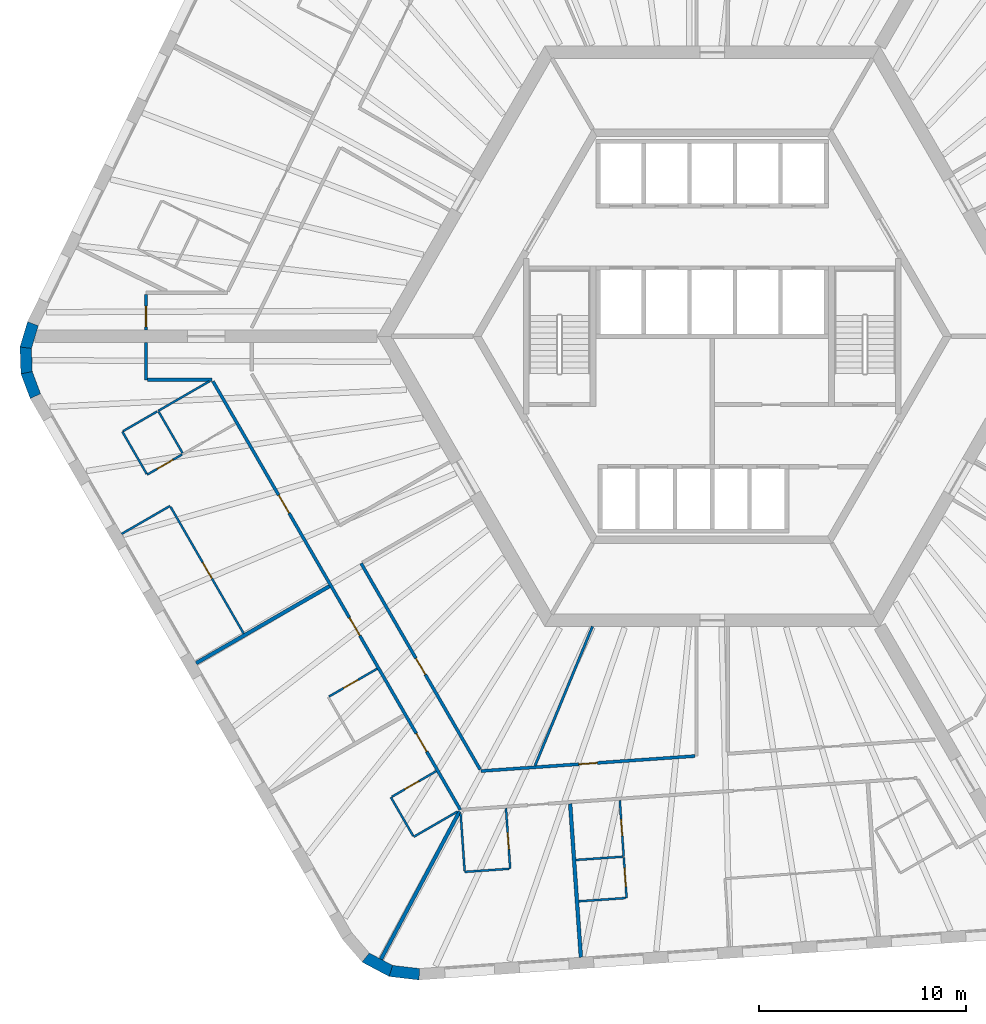
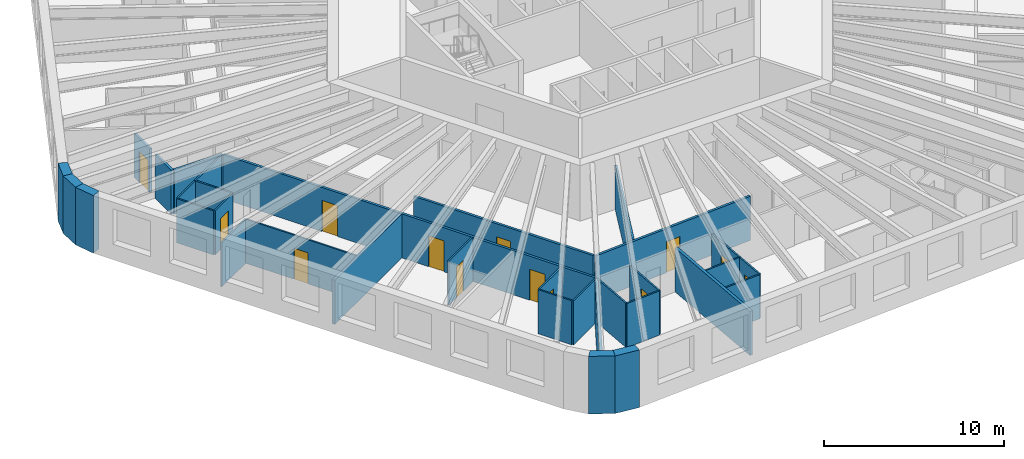
# One storey, part 3 of 12: 33 walls, 13 doors, 13 openings.
"""IFC4 building model written with IfcOpenShell, lengths in metres."""

from ifc_helpers import new_model, si_unit, direction, frame, frame_2d, origin, place, context, subcontext, project, spatial, polyline, rectangle, outline, extrude, material, layer, layer_set, type_object, element, fill, save


model = new_model("IFC4")

# Units and contexts
model_context = context("Model", 3, precision=1e-05, world=origin(), true_north=direction((0.0, 1.0)))
body_context = subcontext(model_context, "Body", "Model", "MODEL_VIEW")
ifc_project = project(units=[si_unit("LENGTHUNIT", "METRE"), si_unit("AREAUNIT", "SQUARE_METRE"), si_unit("VOLUMEUNIT", "CUBIC_METRE"), si_unit("PLANEANGLEUNIT", "RADIAN"), si_unit("MASSUNIT", "GRAM", prefix="KILO")], contexts=[model_context])

# Site, building, storey
site_placement = place(None, origin())
site = spatial("IfcSite", under=ifc_project, at=site_placement, CompositionType="ELEMENT")
building_placement = place(site_placement, origin())
building = spatial("IfcBuilding", under=site, at=building_placement, Name="Tarnside Tower", CompositionType="ELEMENT")
storey_placement = place(building_placement, frame((0.0, 0.0, 131.10009765625)))
storey = spatial("IfcBuildingStorey", under=building, at=storey_placement, Name="L30", CompositionType="ELEMENT", Elevation=131.10009765625)

# Walls
ifc_material_1 = material(Name="Gypsum board partition on steel studs", Category="steel")
ifc_layer_1 = layer(ifc_material_1, 0.10009765625)
ifc_layer_set_1 = layer_set([ifc_layer_1], Name="Bathroom wall 100")
wall_type_1 = type_object("IfcWallType", Name="Bathroom wall 100", PredefinedType="PARTITIONING", material=ifc_layer_set_1)
wall_1_placement = place(storey_placement, frame((-26.731201171875, -3.60009765625, 0.0), z_axis=(0.0, 0.0, 1.0), x_axis=(0.866004402611, 0.500036373335, 0.0)))
element("IfcWall", 1, at=wall_1_placement, inside=storey, type_object=wall_type_1, Name="Bathroom wall 09108", PredefinedType="PARTITIONING", context=body_context, shape_type="SweptSolid", body=[
    extrude(rectangle(XDim=2.849853515625, YDim=0.10009765625, at=frame_2d((1.4248046875, 0.0))), origin(), (0.0, 0.0, 1.0), 2.98779296875),
])
wall_2_placement = place(storey_placement, frame((-26.706298828125, -3.643310546875, 0.0), z_axis=(0.0, 0.0, 1.0), x_axis=(0.499952165731, -0.866053019151, 0.0)))
element("IfcWall", 2, at=wall_2_placement, inside=storey, type_object=wall_type_1, Name="Bathroom wall 09116", PredefinedType="PARTITIONING", context=body_context, shape_type="SweptSolid", body=[
    extrude(rectangle(XDim=2.300048828125, YDim=0.10009765625, at=frame_2d((1.14990234375, 0.0))), origin(), (0.0, 0.0, 1.0), 2.98779296875),
])

# Wall, opening, door
wall_3_placement = place(storey_placement, frame((-18.4853515625, -17.382568359375, 0.0), z_axis=(0.0, 0.0, 1.0), x_axis=(0.866004723184, 0.50003581814, 0.0)))
wall_3 = element("IfcWall", 3, at=wall_3_placement, inside=storey, type_object=wall_type_1, Name="Bathroom wall 09119", PredefinedType="PARTITIONING", context=body_context, shape_type="SweptSolid", body=[
    extrude(rectangle(XDim=2.675048828125, YDim=0.10009765625, at=frame_2d((1.33740234375, 0.0))), origin(), (0.0, 0.0, 1.0), 2.98779296875),
])
opening_1_placement = place(wall_3_placement, frame((0.81005859375, 0.0, 0.0)))
opening_1 = element("IfcOpeningElement", 4, at=opening_1_placement, cuts=wall_3, Name="Opening D-B1", PredefinedType="OPENING", context=body_context, shape_type="SweptSolid", body=[
    extrude(rectangle(XDim=0.800048828125, YDim=2.10009765625, at=frame_2d((0.39990234375, 1.050048828125))), frame((0.0, 0.06005859375, 0.0), z_axis=(0.0, -1.0, 0.0), x_axis=(1.0, 0.0, 0.0)), (0.0, 0.0, 1.0), 0.1201171875),
])
ifc_material_2 = material(Name="Timber door leaf", Category="wood")
door_type_1 = type_object("IfcDoorType", Name="Bathroom door 800", OperationType="NOTDEFINED", PredefinedType="DOOR", material=ifc_material_2)
door_1_placement = place(opening_1_placement, origin())
door_1 = element("IfcDoor", 5, at=door_1_placement, inside=storey, type_object=door_type_1, Name="Bathroom door 09020", OperationType="SINGLE_SWING_RIGHT", OverallHeight=2.10009765625, OverallWidth=0.800048828125, PredefinedType="DOOR", context=body_context, shape_type="SweptSolid", body=[
    extrude(rectangle(XDim=0.800048828125, YDim=2.10009765625, at=frame_2d((0.39990234375, 1.050048828125))), frame((0.0, 0.02490234375, 0.0), z_axis=(0.0, -1.0, 0.0), x_axis=(1.0, 0.0, 0.0)), (0.0, 0.0, 1.0), 0.050048828125),
])
fill(opening_1, door_1)

# Walls
wall_4_placement = place(storey_placement, frame((-12.299560546875, -22.93896484375, 0.0), z_axis=(0.0, 0.0, 1.0), x_axis=(-0.866044985707, -0.499966081581, 0.0)))
element("IfcWall", 6, at=wall_4_placement, inside=storey, type_object=wall_type_1, Name="Bathroom wall 09122", PredefinedType="PARTITIONING", context=body_context, shape_type="SweptSolid", body=[
    extrude(rectangle(XDim=2.428955078125, YDim=0.10009765625, at=frame_2d((1.21435546875, 0.0))), origin(), (0.0, 0.0, 1.0), 2.98779296875),
])
wall_5_placement = place(storey_placement, frame((-14.427978515625, -24.110107421875, 0.0), z_axis=(0.0, 0.0, 1.0), x_axis=(-0.499961633463, 0.866047553582, 0.0)))
element("IfcWall", 7, at=wall_5_placement, inside=storey, type_object=wall_type_1, Name="Bathroom wall 09123", PredefinedType="PARTITIONING", context=body_context, shape_type="SweptSolid", body=[
    extrude(rectangle(XDim=2.150146484375, YDim=0.10009765625, at=frame_2d((1.0751953125, 0.0))), origin(), (0.0, 0.0, 1.0), 2.98779296875),
])

# Wall, opening, door
wall_6_placement = place(storey_placement, frame((-15.459716796875, -22.22314453125, 0.0), z_axis=(0.0, 0.0, 1.0), x_axis=(0.866031185235, 0.4999899861, 0.0)))
wall_6 = element("IfcWall", 8, at=wall_6_placement, inside=storey, type_object=wall_type_1, Name="Bathroom wall 09124", PredefinedType="PARTITIONING", context=body_context, shape_type="SweptSolid", body=[
    extrude(rectangle(XDim=2.47509765625, YDim=0.10009765625, at=frame_2d((1.237548828125, 0.0))), origin(), (0.0, 0.0, 1.0), 2.98779296875),
])
opening_2_placement = place(wall_6_placement, frame((0.719970703125, 0.0, 0.0)))
opening_2 = element("IfcOpeningElement", 9, at=opening_2_placement, cuts=wall_6, Name="Opening D-B1", PredefinedType="OPENING", context=body_context, shape_type="SweptSolid", body=[
    extrude(rectangle(XDim=0.800048828125, YDim=2.10009765625, at=frame_2d((0.39990234375, 1.050048828125))), frame((0.0, 0.06005859375, 0.0), z_axis=(0.0, -1.0, 0.0), x_axis=(1.0, 0.0, 0.0)), (0.0, 0.0, 1.0), 0.1201171875),
])
door_2_placement = place(opening_2_placement, origin())
door_2 = element("IfcDoor", 10, at=door_2_placement, inside=storey, type_object=door_type_1, Name="Bathroom door 09022", OperationType="SINGLE_SWING_RIGHT", OverallHeight=2.10009765625, OverallWidth=0.800048828125, PredefinedType="DOOR", context=body_context, shape_type="SweptSolid", body=[
    extrude(rectangle(XDim=0.800048828125, YDim=2.10009765625, at=frame_2d((0.39990234375, 1.050048828125))), frame((0.0, 0.02490234375, 0.0), z_axis=(0.0, -1.0, 0.0), x_axis=(1.0, 0.0, 0.0)), (0.0, 0.0, 1.0), 0.050048828125),
])
fill(opening_2, door_2)

wall_7_placement = place(storey_placement, frame((-9.951416015625, -22.774658203125, 0.0), z_axis=(0.0, 0.0, 1.0), x_axis=(0.069775971057, -0.997562686683, 0.0)))
wall_7 = element("IfcWall", 11, at=wall_7_placement, inside=storey, type_object=wall_type_1, Name="Bathroom wall 09126", PredefinedType="PARTITIONING", context=body_context, shape_type="SweptSolid", body=[
    extrude(rectangle(XDim=2.925048828125, YDim=0.10009765625, at=frame_2d((1.46240234375, 0.0))), origin(), (0.0, 0.0, 1.0), 2.98779296875),
])
opening_3_placement = place(wall_7_placement, frame((1.175048828125, 0.0, 0.0)))
opening_3 = element("IfcOpeningElement", 12, at=opening_3_placement, cuts=wall_7, Name="Opening D-B1", PredefinedType="OPENING", context=body_context, shape_type="SweptSolid", body=[
    extrude(rectangle(XDim=0.800048828125, YDim=2.10009765625, at=frame_2d((0.39990234375, 1.050048828125))), frame((0.0, 0.06005859375, 0.0), z_axis=(0.0, -1.0, 0.0), x_axis=(1.0, 0.0, 0.0)), (0.0, 0.0, 1.0), 0.1201171875),
])
door_3_placement = place(opening_3_placement, origin())
door_3 = element("IfcDoor", 13, at=door_3_placement, inside=storey, type_object=door_type_1, Name="Bathroom door 09024", OperationType="SINGLE_SWING_LEFT", OverallHeight=2.10009765625, OverallWidth=0.800048828125, PredefinedType="DOOR", context=body_context, shape_type="SweptSolid", body=[
    extrude(rectangle(XDim=0.800048828125, YDim=2.10009765625, at=frame_2d((0.39990234375, 1.050048828125))), frame((0.0, 0.02490234375, 0.0), z_axis=(0.0, -1.0, 0.0), x_axis=(1.0, 0.0, 0.0)), (0.0, 0.0, 1.0), 0.050048828125),
])
fill(opening_3, door_3)

# Walls
wall_8_placement = place(storey_placement, frame((-9.79736328125, -25.696044921875, 0.0), z_axis=(0.0, 0.0, 1.0), x_axis=(-0.997566475845, -0.069721777595, 0.0)))
element("IfcWall", 14, at=wall_8_placement, inside=storey, type_object=wall_type_1, Name="Bathroom wall 09127", PredefinedType="PARTITIONING", context=body_context, shape_type="SweptSolid", body=[
    extrude(rectangle(XDim=2.14990234375, YDim=0.10009765625, at=frame_2d((1.074951171875, 0.0))), origin(), (0.0, 0.0, 1.0), 2.98779296875),
])
wall_9_placement = place(storey_placement, frame((-11.945556640625, -25.796142578125, 0.0), z_axis=(0.0, 0.0, 1.0), x_axis=(-0.069754817075, 0.997564166104, 0.0)))
element("IfcWall", 15, at=wall_9_placement, inside=storey, type_object=wall_type_1, Name="Bathroom wall 09128", PredefinedType="PARTITIONING", context=body_context, shape_type="SweptSolid", body=[
    extrude(rectangle(XDim=2.779052734375, YDim=0.10009765625, at=frame_2d((1.3896484375, 0.0))), origin(), (0.0, 0.0, 1.0), 2.98779296875),
])

# Wall, opening, door
wall_10_placement = place(storey_placement, frame((-4.4599609375, -22.390625, 0.0), z_axis=(0.0, 0.0, 1.0), x_axis=(0.069699857203, -0.99756800766, 0.0)))
wall_10 = element("IfcWall", 16, at=wall_10_placement, inside=storey, type_object=wall_type_1, Name="Bathroom wall 09132", PredefinedType="PARTITIONING", context=body_context, shape_type="SweptSolid", body=[
    extrude(rectangle(XDim=2.72509765625, YDim=0.10009765625, at=frame_2d((1.362548828125, 0.0))), origin(), (0.0, 0.0, 1.0), 2.98779296875),
])
opening_4_placement = place(wall_10_placement, frame((0.925048828125, 0.0, 0.0)))
opening_4 = element("IfcOpeningElement", 17, at=opening_4_placement, cuts=wall_10, Name="Opening D-B1", PredefinedType="OPENING", context=body_context, shape_type="SweptSolid", body=[
    extrude(rectangle(XDim=0.800048828125, YDim=2.10009765625, at=frame_2d((0.39990234375, 1.050048828125))), frame((0.0, 0.06005859375, 0.0), z_axis=(0.0, -1.0, 0.0), x_axis=(1.0, 0.0, 0.0)), (0.0, 0.0, 1.0), 0.1201171875),
])
door_4_placement = place(opening_4_placement, origin())
door_4 = element("IfcDoor", 18, at=door_4_placement, inside=storey, type_object=door_type_1, Name="Bathroom door 09026", OperationType="SINGLE_SWING_RIGHT", OverallHeight=2.10009765625, OverallWidth=0.800048828125, PredefinedType="DOOR", context=body_context, shape_type="SweptSolid", body=[
    extrude(rectangle(XDim=0.800048828125, YDim=2.10009765625, at=frame_2d((0.39990234375, 1.050048828125))), frame((0.0, 0.02490234375, 0.0), z_axis=(0.0, -1.0, 0.0), x_axis=(1.0, 0.0, 0.0)), (0.0, 0.0, 1.0), 0.050048828125),
])
fill(opening_4, door_4)

# Wall
wall_11_placement = place(storey_placement, frame((-6.574462890625, -25.270263671875, 0.0), z_axis=(0.0, 0.0, 1.0), x_axis=(0.997562351999, 0.069780755754, 0.0)))
element("IfcWall", 19, at=wall_11_placement, inside=storey, type_object=wall_type_1, Name="Bathroom wall 09138", PredefinedType="PARTITIONING", context=body_context, shape_type="SweptSolid", body=[
    extrude(rectangle(XDim=2.26025390625, YDim=0.10009765625, at=frame_2d((1.130126953125, 0.0))), origin(), (0.0, 0.0, 1.0), 2.98779296875),
])

# Wall, opening, door
ifc_layer_2 = layer(ifc_material_1, 0.14990234375)
ifc_layer_set_2 = layer_set([ifc_layer_2], Name="Corridor wall 150 EI 60")
wall_type_2 = type_object("IfcWallType", Name="Corridor wall 150 EI 60", PredefinedType="PARTITIONING", material=ifc_layer_set_2)
wall_12_placement = place(storey_placement, frame((-27.3203125, 2.02490234375, 0.0), z_axis=(0.0, 0.0, 1.0), x_axis=(0.0, -1.0, 0.0)))
wall_12 = element("IfcWall", 20, at=wall_12_placement, inside=storey, type_object=wall_type_2, Name="Corridor wall 09016", PredefinedType="PARTITIONING", context=body_context, shape_type="SweptSolid", body=[
    extrude(rectangle(XDim=1.724853515625, YDim=0.14990234375, at=frame_2d((0.8623046875, 0.0))), origin(), (0.0, 0.0, 1.0), 2.98779296875),
])
opening_5_placement = place(wall_12_placement, frame((0.574951171875, 0.0, 0.0)))
opening_5 = element("IfcOpeningElement", 21, at=opening_5_placement, cuts=wall_12, Name="Opening D-E1", PredefinedType="OPENING", context=body_context, shape_type="SweptSolid", body=[
    extrude(rectangle(XDim=1.0, YDim=2.10009765625, at=frame_2d((0.5, 1.050048828125))), frame((0.0, 0.0849609375, 0.0), z_axis=(0.0, -1.0, 0.0), x_axis=(1.0, 0.0, 0.0)), (0.0, 0.0, 1.0), 0.169921875),
])
door_type_2 = type_object("IfcDoorType", Name="Unit entrance door 1000 FD30S", OperationType="NOTDEFINED", PredefinedType="DOOR", material=ifc_material_2)
door_5_placement = place(opening_5_placement, origin())
door_5 = element("IfcDoor", 22, at=door_5_placement, inside=storey, type_object=door_type_2, Name="Unit door 09014", OperationType="SINGLE_SWING_LEFT", OverallHeight=2.10009765625, OverallWidth=1.0, PredefinedType="DOOR", context=body_context, shape_type="SweptSolid", body=[
    extrude(rectangle(XDim=1.0, YDim=2.10009765625, at=frame_2d((0.5, 1.050048828125))), frame((0.0, 0.02490234375, 0.0), z_axis=(0.0, -1.0, 0.0), x_axis=(1.0, 0.0, 0.0)), (0.0, 0.0, 1.0), 0.050048828125),
])
fill(opening_5, door_5)

# Walls
wall_13_placement = place(storey_placement, frame((-27.3203125, -0.300048828125, 0.0), z_axis=(0.0, 0.0, 1.0), x_axis=(0.0, -1.0, 0.0)))
element("IfcWall", 23, at=wall_13_placement, inside=storey, type_object=wall_type_2, Name="Corridor wall 09027", PredefinedType="PARTITIONING", context=body_context, shape_type="SweptSolid", body=[
    extrude(rectangle(XDim=1.800048828125, YDim=0.14990234375, at=frame_2d((0.89990234375, 0.0))), origin(), (0.0, 0.0, 1.0), 2.98779296875),
])
wall_14_placement = place(storey_placement, frame((-27.245361328125, -2.10009765625, 0.0), z_axis=(0.0, 0.0, 1.0), x_axis=(1.0, 0.0, 0.0)))
element("IfcWall", 24, at=wall_14_placement, inside=storey, type_object=wall_type_2, Name="Corridor wall 09028", PredefinedType="PARTITIONING", context=body_context, shape_type="SweptSolid", body=[
    extrude(rectangle(XDim=3.112060546875, YDim=0.14990234375, at=frame_2d((1.55615234375, 0.0))), origin(), (0.0, 0.0, 1.0), 2.98779296875),
])

# Wall, openings, doors
wall_15_placement = place(storey_placement, frame((-24.08984375, -2.175048828125, 0.0), z_axis=(0.0, 0.0, 1.0), x_axis=(0.499996832073, -0.86602723278, 0.0)))
wall_15 = element("IfcWall", 25, at=wall_15_placement, inside=storey, type_object=wall_type_2, Name="Corridor wall 09029", PredefinedType="PARTITIONING", context=body_context, shape_type="SweptSolid", body=[
    extrude(rectangle(XDim=23.877197265625, YDim=0.14990234375, at=frame_2d((11.9384765625, 0.0))), origin(), (0.0, 0.0, 1.0), 2.98779296875),
])
opening_6_placement = place(wall_15_placement, frame((6.343017578125, 0.0, 0.0)))
opening_6 = element("IfcOpeningElement", 26, at=opening_6_placement, cuts=wall_15, Name="Opening D-E1", PredefinedType="OPENING", context=body_context, shape_type="SweptSolid", body=[
    extrude(rectangle(XDim=1.0, YDim=2.10009765625, at=frame_2d((0.5, 1.050048828125))), frame((0.0, 0.0849609375, 0.0), z_axis=(0.0, -1.0, 0.0), x_axis=(1.0, 0.0, 0.0)), (0.0, 0.0, 1.0), 0.169921875),
])
opening_7_placement = place(wall_15_placement, frame((13.17236328125, 0.0, 0.0)))
opening_7 = element("IfcOpeningElement", 27, at=opening_7_placement, cuts=wall_15, Name="Opening D-E1", PredefinedType="OPENING", context=body_context, shape_type="SweptSolid", body=[
    extrude(rectangle(XDim=1.0, YDim=2.10009765625, at=frame_2d((0.5, 1.050048828125))), frame((0.0, 0.0849609375, 0.0), z_axis=(0.0, -1.0, 0.0), x_axis=(1.0, 0.0, 0.0)), (0.0, 0.0, 1.0), 0.169921875),
])
opening_8_placement = place(wall_15_placement, frame((19.624755859375, 0.0, 0.0)))
opening_8 = element("IfcOpeningElement", 28, at=opening_8_placement, cuts=wall_15, Name="Opening D-E1", PredefinedType="OPENING", context=body_context, shape_type="SweptSolid", body=[
    extrude(rectangle(XDim=1.0, YDim=2.10009765625, at=frame_2d((0.5, 1.050048828125))), frame((0.0, 0.0849609375, 0.0), z_axis=(0.0, -1.0, 0.0), x_axis=(1.0, 0.0, 0.0)), (0.0, 0.0, 1.0), 0.169921875),
])
door_6_placement = place(opening_6_placement, origin())
door_6 = element("IfcDoor", 29, at=door_6_placement, inside=storey, type_object=door_type_2, Name="Unit door 09015", OperationType="SINGLE_SWING_LEFT", OverallHeight=2.10009765625, OverallWidth=1.0, PredefinedType="DOOR", context=body_context, shape_type="SweptSolid", body=[
    extrude(rectangle(XDim=1.0, YDim=2.10009765625, at=frame_2d((0.5, 1.050048828125))), frame((0.0, 0.02490234375, 0.0), z_axis=(0.0, -1.0, 0.0), x_axis=(1.0, 0.0, 0.0)), (0.0, 0.0, 1.0), 0.050048828125),
])
fill(opening_6, door_6)
door_7_placement = place(opening_7_placement, origin())
door_7 = element("IfcDoor", 30, at=door_7_placement, inside=storey, type_object=door_type_2, Name="Unit door 09019", OperationType="SINGLE_SWING_LEFT", OverallHeight=2.10009765625, OverallWidth=1.0, PredefinedType="DOOR", context=body_context, shape_type="SweptSolid", body=[
    extrude(rectangle(XDim=1.0, YDim=2.10009765625, at=frame_2d((0.5, 1.050048828125))), frame((0.0, 0.02490234375, 0.0), z_axis=(0.0, -1.0, 0.0), x_axis=(1.0, 0.0, 0.0)), (0.0, 0.0, 1.0), 0.050048828125),
])
fill(opening_7, door_7)
door_8_placement = place(opening_8_placement, origin())
door_8 = element("IfcDoor", 31, at=door_8_placement, inside=storey, type_object=door_type_2, Name="Unit door 09021", OperationType="SINGLE_SWING_RIGHT", OverallHeight=2.10009765625, OverallWidth=1.0, PredefinedType="DOOR", context=body_context, shape_type="SweptSolid", body=[
    extrude(rectangle(XDim=1.0, YDim=2.10009765625, at=frame_2d((0.5, 1.050048828125))), frame((0.0, 0.02490234375, 0.0), z_axis=(0.0, -1.0, 0.0), x_axis=(1.0, 0.0, 0.0)), (0.0, 0.0, 1.0), 0.050048828125),
])
fill(opening_8, door_8)

# Wall, opening, door
wall_16_placement = place(storey_placement, frame((-0.824951171875, -20.2568359375, 0.0), z_axis=(0.0, 0.0, 1.0), x_axis=(-0.9975635143, -0.069764137903, 0.0)))
wall_16 = element("IfcWall", 32, at=wall_16_placement, inside=storey, type_object=wall_type_2, Name="Corridor wall 09048", PredefinedType="PARTITIONING", context=body_context, shape_type="SweptSolid", body=[
    extrude(rectangle(XDim=10.35498046875, YDim=0.14990234375, at=frame_2d((5.177490234375, 0.0))), origin(), (0.0, 0.0, 1.0), 2.98779296875),
])
opening_9_placement = place(wall_16_placement, frame((4.7275390625, 0.0, 0.0)))
opening_9 = element("IfcOpeningElement", 33, at=opening_9_placement, cuts=wall_16, Name="Opening D-S1", PredefinedType="OPENING", context=body_context, shape_type="SweptSolid", body=[
    extrude(rectangle(XDim=0.89990234375, YDim=2.10009765625, at=frame_2d((0.449951171875, 1.050048828125))), frame((0.0, 0.0849609375, 0.0), z_axis=(0.0, -1.0, 0.0), x_axis=(1.0, 0.0, 0.0)), (0.0, 0.0, 1.0), 0.169921875),
])
door_type_3 = type_object("IfcDoorType", Name="Service room door 900 FD30S", OperationType="NOTDEFINED", PredefinedType="DOOR", material=ifc_material_2)
door_9_placement = place(opening_9_placement, origin())
door_9 = element("IfcDoor", 34, at=door_9_placement, inside=storey, type_object=door_type_3, Name="Service door 09050", OperationType="SINGLE_SWING_LEFT", OverallHeight=2.10009765625, OverallWidth=0.89990234375, PredefinedType="DOOR", context=body_context, shape_type="SweptSolid", body=[
    extrude(rectangle(XDim=0.89990234375, YDim=2.10009765625, at=frame_2d((0.449951171875, 1.050048828125))), frame((0.0, 0.02490234375, 0.0), z_axis=(0.0, -1.0, 0.0), x_axis=(1.0, 0.0, 0.0)), (0.0, 0.0, 1.0), 0.050048828125),
])
fill(opening_9, door_9)

wall_17_placement = place(storey_placement, frame((-11.196533203125, -20.906982421875, 0.0), z_axis=(0.0, 0.0, 1.0), x_axis=(-0.500004557924, 0.86602277225, 0.0)))
wall_17 = element("IfcWall", 35, at=wall_17_placement, inside=storey, type_object=wall_type_2, Name="Corridor wall 09050", PredefinedType="PARTITIONING", context=body_context, shape_type="SweptSolid", body=[
    extrude(rectangle(XDim=11.48681640625, YDim=0.14990234375, at=frame_2d((5.743408203125, 0.0))), origin(), (0.0, 0.0, 1.0), 2.98779296875),
])
opening_10_placement = place(wall_17_placement, frame((5.293212890625, 0.0, 0.0)))
opening_10 = element("IfcOpeningElement", 36, at=opening_10_placement, cuts=wall_17, Name="Opening D-S1", PredefinedType="OPENING", context=body_context, shape_type="SweptSolid", body=[
    extrude(rectangle(XDim=0.89990234375, YDim=2.10009765625, at=frame_2d((0.449951171875, 1.050048828125))), frame((0.0, 0.0849609375, 0.0), z_axis=(0.0, -1.0, 0.0), x_axis=(1.0, 0.0, 0.0)), (0.0, 0.0, 1.0), 0.169921875),
])
door_10_placement = place(opening_10_placement, origin())
door_10 = element("IfcDoor", 37, at=door_10_placement, inside=storey, type_object=door_type_3, Name="Service door 09051", OperationType="SINGLE_SWING_RIGHT", OverallHeight=2.10009765625, OverallWidth=0.89990234375, PredefinedType="DOOR", context=body_context, shape_type="SweptSolid", body=[
    extrude(rectangle(XDim=0.89990234375, YDim=2.10009765625, at=frame_2d((0.449951171875, 1.050048828125))), frame((0.0, 0.02490234375, 0.0), z_axis=(0.0, -1.0, 0.0), x_axis=(1.0, 0.0, 0.0)), (0.0, 0.0, 1.0), 0.050048828125),
])
fill(opening_10, door_10)

# Walls
ifc_layer_3 = layer(ifc_material_1, 0.179931640625)
ifc_layer_set_3 = layer_set([ifc_layer_3], Name="Demising wall 180 EI 60")
wall_type_3 = type_object("IfcWallType", Name="Demising wall 180 EI 60", PredefinedType="PARTITIONING", material=ifc_layer_set_3)
wall_18_placement = place(storey_placement, frame((-24.89892578125, -15.773681640625, 0.0), z_axis=(0.0, 0.0, 1.0), x_axis=(0.866028983062, 0.499993800457, 0.0)))
element("IfcWall", 38, at=wall_18_placement, inside=storey, type_object=wall_type_3, Name="Demising wall 09115", PredefinedType="PARTITIONING", context=body_context, shape_type="SweptSolid", body=[
    extrude(rectangle(XDim=7.4248046875, YDim=0.179931640625, at=frame_2d((3.71240234375, 0.0))), origin(), (0.0, 0.0, 1.0), 2.98779296875),
])
wall_19_placement = place(storey_placement, frame((-15.98291015625, -30.059326171875, 0.0), z_axis=(0.0, 0.0, 1.0), x_axis=(0.469476547643, 0.882944942346, 0.0)))
element("IfcWall", 39, at=wall_19_placement, inside=storey, type_object=wall_type_3, Name="Demising wall 09125", PredefinedType="PARTITIONING", context=body_context, shape_type="SweptSolid", body=[
    extrude(rectangle(XDim=8.072998046875, YDim=0.179931640625, at=frame_2d((4.03662109375, 0.0))), origin(), (0.0, 0.0, 1.0), 2.98779296875),
])
wall_20_placement = place(storey_placement, frame((-6.336181640625, -29.965087890625, 0.0), z_axis=(0.0, 0.0, 1.0), x_axis=(-0.06977252161, 0.997562927954, 0.0)))
element("IfcWall", 40, at=wall_20_placement, inside=storey, type_object=wall_type_3, Name="Demising wall 09129", PredefinedType="PARTITIONING", context=body_context, shape_type="SweptSolid", body=[
    extrude(rectangle(XDim=7.425048828125, YDim=0.179931640625, at=frame_2d((3.71240234375, 0.0))), origin(), (0.0, 0.0, 1.0), 2.98779296875),
])

# Wall, opening, door
ifc_layer_4 = layer(ifc_material_1, 0.10009765625)
ifc_layer_set_4 = layer_set([ifc_layer_4], Name="Partition 100")
wall_type_4 = type_object("IfcWallType", Name="Partition 100", PredefinedType="PARTITIONING", material=ifc_layer_set_4)
wall_21_placement = place(storey_placement, frame((-25.57470703125, -5.703369140625, 0.0), z_axis=(0.0, 0.0, 1.0), x_axis=(-0.866000020948, -0.500043961785, 0.0)))
wall_21 = element("IfcWall", 41, at=wall_21_placement, inside=storey, type_object=wall_type_4, Name="Partition wall 09110", PredefinedType="PARTITIONING", context=body_context, shape_type="SweptSolid", body=[
    extrude(rectangle(XDim=1.949951171875, YDim=0.10009765625, at=frame_2d((0.97509765625, 0.0))), origin(), (0.0, 0.0, 1.0), 2.98779296875),
])
opening_11_placement = place(wall_21_placement, frame((0.5, 0.0, 0.0)))
opening_11 = element("IfcOpeningElement", 42, at=opening_11_placement, cuts=wall_21, Name="Opening D-I1", PredefinedType="OPENING", context=body_context, shape_type="SweptSolid", body=[
    extrude(rectangle(XDim=0.89990234375, YDim=2.10009765625, at=frame_2d((0.449951171875, 1.050048828125))), frame((0.0, 0.06005859375, 0.0), z_axis=(0.0, -1.0, 0.0), x_axis=(1.0, 0.0, 0.0)), (0.0, 0.0, 1.0), 0.1201171875),
])
door_type_4 = type_object("IfcDoorType", Name="Internal door 900", OperationType="NOTDEFINED", PredefinedType="DOOR", material=ifc_material_2)
door_11_placement = place(opening_11_placement, origin())
door_11 = element("IfcDoor", 43, at=door_11_placement, inside=storey, type_object=door_type_4, Name="Internal door 09017", OperationType="SINGLE_SWING_RIGHT", OverallHeight=2.10009765625, OverallWidth=0.89990234375, PredefinedType="DOOR", context=body_context, shape_type="SweptSolid", body=[
    extrude(rectangle(XDim=0.89990234375, YDim=2.10009765625, at=frame_2d((0.449951171875, 1.050048828125))), frame((0.0, 0.02490234375, 0.0), z_axis=(0.0, -1.0, 0.0), x_axis=(1.0, 0.0, 0.0)), (0.0, 0.0, 1.0), 0.050048828125),
])
fill(opening_11, door_11)

# Walls
wall_22_placement = place(storey_placement, frame((-27.288330078125, -6.63525390625, 0.0), z_axis=(0.0, 0.0, 1.0), x_axis=(-0.500016218704, 0.866016039709, 0.0)))
element("IfcWall", 44, at=wall_22_placement, inside=storey, type_object=wall_type_4, Name="Partition wall 09111", PredefinedType="PARTITIONING", context=body_context, shape_type="SweptSolid", body=[
    extrude(rectangle(XDim=2.35009765625, YDim=0.10009765625, at=frame_2d((1.175048828125, 0.0))), origin(), (0.0, 0.0, 1.0), 2.98779296875),
])
wall_23_placement = place(storey_placement, frame((-28.420166015625, -4.574951171875, 0.0), z_axis=(0.0, 0.0, 1.0), x_axis=(0.866044365799, 0.499967155389, 0.0)))
element("IfcWall", 45, at=wall_23_placement, inside=storey, type_object=wall_type_4, Name="Partition wall 09112", PredefinedType="PARTITIONING", context=body_context, shape_type="SweptSolid", body=[
    extrude(rectangle(XDim=1.900146484375, YDim=0.10009765625, at=frame_2d((0.9501953125, 0.0))), origin(), (0.0, 0.0, 1.0), 2.98779296875),
])
wall_24_placement = place(storey_placement, frame((-28.4990234375, -9.538330078125, 0.0), z_axis=(0.0, 0.0, 1.0), x_axis=(0.866059108428, 0.4999416173, 0.0)))
element("IfcWall", 46, at=wall_24_placement, inside=storey, type_object=wall_type_4, Name="Partition wall 09113", PredefinedType="PARTITIONING", context=body_context, shape_type="SweptSolid", body=[
    extrude(rectangle(XDim=2.699951171875, YDim=0.10009765625, at=frame_2d((1.35009765625, 0.0))), origin(), (0.0, 0.0, 1.0), 2.98779296875),
])

# Wall, opening, door
wall_25_placement = place(storey_placement, frame((-26.1357421875, -8.231689453125, 0.0), z_axis=(0.0, 0.0, 1.0), x_axis=(0.499995846692, -0.866027801685, 0.0)))
wall_25 = element("IfcWall", 47, at=wall_25_placement, inside=storey, type_object=wall_type_4, Name="Partition wall 09114", PredefinedType="PARTITIONING", context=body_context, shape_type="SweptSolid", body=[
    extrude(rectangle(XDim=7.06005859375, YDim=0.10009765625, at=frame_2d((3.530029296875, 0.0))), origin(), (0.0, 0.0, 1.0), 2.98779296875),
])
opening_12_placement = place(wall_25_placement, frame((3.10009765625, 0.0, 0.0)))
opening_12 = element("IfcOpeningElement", 48, at=opening_12_placement, cuts=wall_25, Name="Opening D-I1", PredefinedType="OPENING", context=body_context, shape_type="SweptSolid", body=[
    extrude(rectangle(XDim=0.89990234375, YDim=2.10009765625, at=frame_2d((0.449951171875, 1.050048828125))), frame((0.0, 0.06005859375, 0.0), z_axis=(0.0, -1.0, 0.0), x_axis=(1.0, 0.0, 0.0)), (0.0, 0.0, 1.0), 0.1201171875),
])
door_12_placement = place(opening_12_placement, origin())
door_12 = element("IfcDoor", 49, at=door_12_placement, inside=storey, type_object=door_type_4, Name="Internal door 09018", OperationType="SINGLE_SWING_RIGHT", OverallHeight=2.10009765625, OverallWidth=0.89990234375, PredefinedType="DOOR", context=body_context, shape_type="SweptSolid", body=[
    extrude(rectangle(XDim=0.89990234375, YDim=2.10009765625, at=frame_2d((0.449951171875, 1.050048828125))), frame((0.0, 0.02490234375, 0.0), z_axis=(0.0, -1.0, 0.0), x_axis=(1.0, 0.0, 0.0)), (0.0, 0.0, 1.0), 0.050048828125),
])
fill(opening_12, door_12)

wall_26_placement = place(storey_placement, frame((-4.2666015625, -25.158935546875, 0.0), z_axis=(0.0, 0.0, 1.0), x_axis=(0.06985902805, -0.997556873667, 0.0)))
wall_26 = element("IfcWall", 50, at=wall_26_placement, inside=storey, type_object=wall_type_4, Name="Partition wall 09133", PredefinedType="PARTITIONING", context=body_context, shape_type="SweptSolid", body=[
    extrude(rectangle(XDim=1.9501953125, YDim=0.10009765625, at=frame_2d((0.97509765625, 0.0))), origin(), (0.0, 0.0, 1.0), 2.98779296875),
])
opening_13_placement = place(wall_26_placement, frame((0.5, 0.0, 0.0)))
opening_13 = element("IfcOpeningElement", 51, at=opening_13_placement, cuts=wall_26, Name="Opening D-I1", PredefinedType="OPENING", context=body_context, shape_type="SweptSolid", body=[
    extrude(rectangle(XDim=0.89990234375, YDim=2.10009765625, at=frame_2d((0.449951171875, 1.050048828125))), frame((0.0, 0.06005859375, 0.0), z_axis=(0.0, -1.0, 0.0), x_axis=(1.0, 0.0, 0.0)), (0.0, 0.0, 1.0), 0.1201171875),
])
door_13_placement = place(opening_13_placement, origin())
door_13 = element("IfcDoor", 52, at=door_13_placement, inside=storey, type_object=door_type_4, Name="Internal door 09027", OperationType="SINGLE_SWING_RIGHT", OverallHeight=2.10009765625, OverallWidth=0.89990234375, PredefinedType="DOOR", context=body_context, shape_type="SweptSolid", body=[
    extrude(rectangle(XDim=0.89990234375, YDim=2.10009765625, at=frame_2d((0.449951171875, 1.050048828125))), frame((0.0, 0.02490234375, 0.0), z_axis=(0.0, -1.0, 0.0), x_axis=(1.0, 0.0, 0.0)), (0.0, 0.0, 1.0), 0.050048828125),
])
fill(opening_13, door_13)

# Walls
wall_27_placement = place(storey_placement, frame((-4.180419921875, -27.107666015625, 0.0), z_axis=(0.0, 0.0, 1.0), x_axis=(-0.997561825928, -0.069788275888, 0.0)))
element("IfcWall", 53, at=wall_27_placement, inside=storey, type_object=wall_type_4, Name="Partition wall 09134", PredefinedType="PARTITIONING", context=body_context, shape_type="SweptSolid", body=[
    extrude(rectangle(XDim=2.260009765625, YDim=0.10009765625, at=frame_2d((1.1298828125, 0.0))), origin(), (0.0, 0.0, 1.0), 2.98779296875),
])
ifc_layer_5 = layer(ifc_material_1, 0.1201171875)
ifc_layer_set_5 = layer_set([ifc_layer_5], Name="Service room wall 120 EI 60")
wall_type_5 = type_object("IfcWallType", Name="Service room wall 120 EI 60", PredefinedType="PARTITIONING", material=ifc_layer_set_5)
wall_28_placement = place(storey_placement, frame((-5.775390625, -14.0, 0.0), z_axis=(0.0, 0.0, 1.0), x_axis=(-0.381361051417, -0.924426172532, 0.0)))
element("IfcWall", 54, at=wall_28_placement, inside=storey, type_object=wall_type_5, Name="Service wall 09175", PredefinedType="PARTITIONING", context=body_context, shape_type="SweptSolid", body=[
    extrude(rectangle(XDim=7.271240234375, YDim=0.1201171875, at=frame_2d((3.6357421875, 0.0))), origin(), (0.0, 0.0, 1.0), 2.98779296875),
])
ifc_material_3 = material(Name="Facing brick", Category="masonry")
ifc_layer_6 = layer(ifc_material_3, 0.10205078125)
ifc_material_4 = material(Name="Concrete C60/75 precast", Category="concrete")
ifc_layer_7 = layer(ifc_material_4, 0.347900390625)
ifc_material_5 = material(Name="Mineral wool insulation")
ifc_layer_8 = layer(ifc_material_5, 0.10009765625)
ifc_layer_set_6 = layer_set([ifc_layer_6, ifc_layer_7, ifc_layer_8], Name="Tube wall 550 brick faced")
wall_type_6 = type_object("IfcWallType", Name="Tube wall 550 brick faced", PredefinedType="SOLIDWALL", material=ifc_layer_set_6)
wall_29_placement = place(storey_placement, frame((-32.77685546875, 0.605224609375, -0.150146484375), z_axis=(0.0, 0.0, 1.0), x_axis=(-0.286921497463, -0.957954098219, 0.0)))
element("IfcWall", 55, at=wall_29_placement, inside=storey, type_object=wall_type_6, Name="Tube wall L30 F2 chord 05", PredefinedType="SOLIDWALL", context=body_context, shape_type="SweptSolid", body=[
    extrude(outline(polyline([(-0.0224609375, -0.27490234375), (1.25341796875, -0.27490234375), (1.1630859375, 0.27490234375), (0.0224609375, 0.27490234375), (-0.0224609375, -0.27490234375)])), origin(), (0.0, 0.0, 1.0), 3.900146484375),
])
wall_30_placement = place(storey_placement, frame((-33.12353515625, -0.55224609375, -0.150146484375), z_axis=(0.0, 0.0, 1.0), x_axis=(0.03495638276, -0.999388838893, 0.0)))
element("IfcWall", 56, at=wall_30_placement, inside=storey, type_object=wall_type_6, Name="Tube wall L30 F2 chord 06", PredefinedType="SOLIDWALL", context=body_context, shape_type="SweptSolid", body=[
    extrude(outline(polyline([(-0.045166015625, -0.27490234375), (1.25341796875, -0.27490234375), (1.1630859375, 0.27490234375), (0.045166015625, 0.27490234375), (-0.045166015625, -0.27490234375)])), origin(), (0.0, 0.0, 1.0), 3.900146484375),
])
wall_31_placement = place(storey_placement, frame((-33.081298828125, -1.759765625, -0.150146484375), z_axis=(0.0, 0.0, 1.0), x_axis=(0.353027214741, -0.935613053378, 0.0)))
element("IfcWall", 57, at=wall_31_placement, inside=storey, type_object=wall_type_6, Name="Tube wall L30 F2 chord 07", PredefinedType="SOLIDWALL", context=body_context, shape_type="SweptSolid", body=[
    extrude(outline(polyline([(-0.045166015625, -0.27490234375), (1.230712890625, -0.27490234375), (1.185791015625, 0.27490234375), (0.045166015625, 0.27490234375), (-0.045166015625, -0.27490234375)])), origin(), (0.0, 0.0, 1.0), 3.900146484375),
])
wall_32_placement = place(storey_placement, frame((-16.720703125, -29.978515625, -0.150146484375), z_axis=(0.0, 0.0, 1.0), x_axis=(0.882994189209, -0.469383917304, 0.0)))
element("IfcWall", 58, at=wall_32_placement, inside=storey, type_object=wall_type_6, Name="Tube wall L30 F3 chord 10", PredefinedType="SOLIDWALL", context=body_context, shape_type="SweptSolid", body=[
    extrude(outline(polyline([(-0.0517578125, -0.27490234375), (1.4306640625, -0.27490234375), (1.3271484375, 0.27490234375), (0.0517578125, 0.27490234375), (-0.0517578125, -0.27490234375)])), origin(), (0.0, 0.0, 1.0), 3.900146484375),
])
wall_33_placement = place(storey_placement, frame((-15.503173828125, -30.625732421875, -0.150146484375), z_axis=(0.0, 0.0, 1.0), x_axis=(0.993232537394, -0.11614269956, 0.0)))
element("IfcWall", 59, at=wall_33_placement, inside=storey, type_object=wall_type_6, Name="Tube wall L30 F3 chord 11", PredefinedType="SOLIDWALL", context=body_context, shape_type="SweptSolid", body=[
    extrude(outline(polyline([(-0.0517578125, -0.27490234375), (1.404541015625, -0.27490234375), (1.353271484375, 0.27490234375), (0.0517578125, 0.27490234375), (-0.0517578125, -0.27490234375)])), origin(), (0.0, 0.0, 1.0), 3.900146484375),
])

save(model, "model.ifc")
